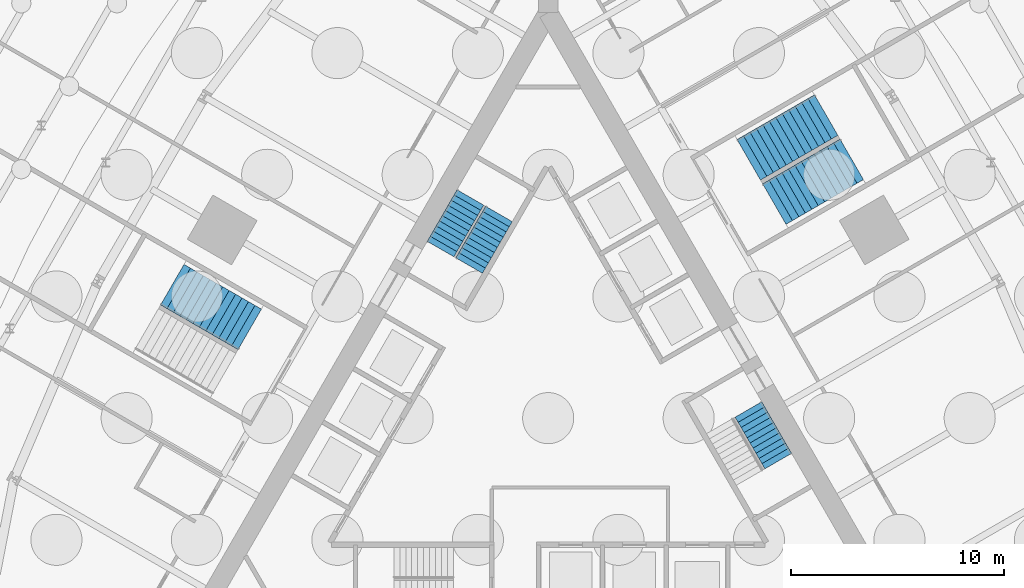
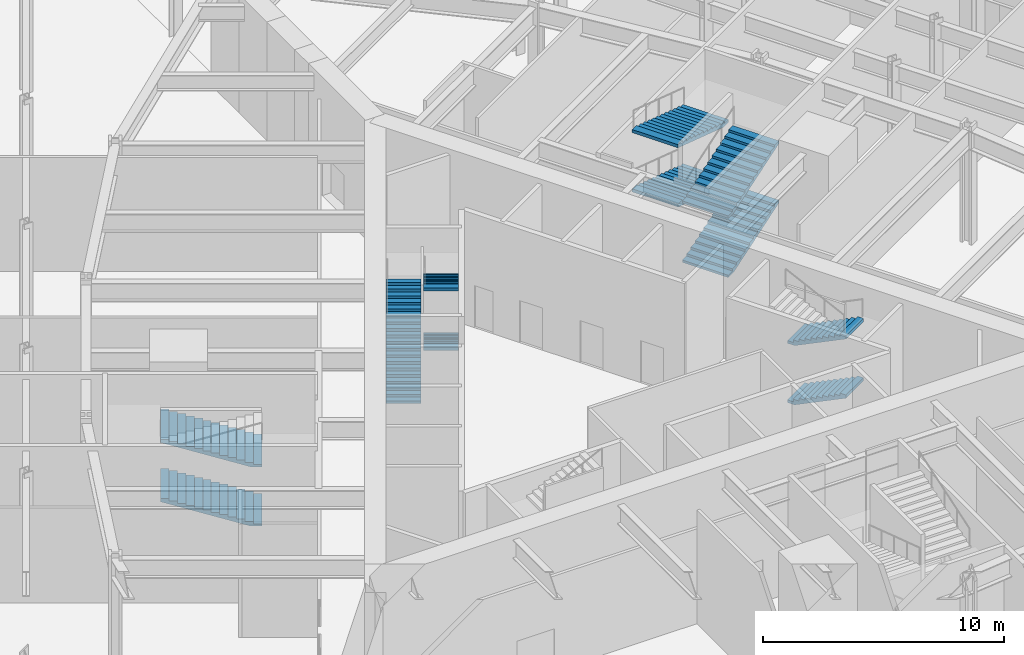
# One storey, part 15 of 17: 12 stair flights, 4 elements without a shape of their own.
"""IFC4 building model written with IfcOpenShell, lengths in metres."""

from ifc_helpers import new_model, si_unit, direction, frame, origin, place, context, subcontext, project, spatial, polyline, outline, extrude, material, type_object, element, aggregate, save


model = new_model("IFC4")

# Units and contexts
model_context = context("Model", 3, precision=1e-05, world=origin(), true_north=direction((0.0, 1.0)))
body_context = subcontext(model_context, "Body", "Model", "MODEL_VIEW")
ifc_project = project(units=[si_unit("LENGTHUNIT", "METRE"), si_unit("AREAUNIT", "SQUARE_METRE"), si_unit("VOLUMEUNIT", "CUBIC_METRE"), si_unit("PLANEANGLEUNIT", "RADIAN"), si_unit("MASSUNIT", "GRAM", prefix="KILO")], contexts=[model_context])

# Site, building, storey
site_placement = place(None, origin())
site = spatial("IfcSite", under=ifc_project, at=site_placement, CompositionType="ELEMENT")
building_placement = place(site_placement, origin())
building = spatial("IfcBuilding", under=site, at=building_placement, Name="Trikona Tower", CompositionType="ELEMENT")
storey_placement = place(building_placement, origin())
storey = spatial("IfcBuildingStorey", under=building, at=storey_placement, Name="L00", CompositionType="ELEMENT", Elevation=0.0)

# Stair, stair flights
ifc_material_1 = material(Name="Concrete f'c 5000 psi", Category="concrete")
stair_type_1 = type_object("IfcStairType", Name="Core stair", PredefinedType="HALF_TURN_STAIR", material=ifc_material_1)
stair_1_placement = place(storey_placement, origin())
stair_1 = element("IfcStair", 1, at=stair_1_placement, inside=storey, type_object=stair_type_1, Name="Stair B L00", PredefinedType="HALF_TURN_STAIR")
ifc_material_2 = material(Name="Concrete f'c 5000 psi", Category="concrete")
stair_flight_type_1 = type_object("IfcStairFlightType", Name="Core stair flight 1450", PredefinedType="STRAIGHT", material=ifc_material_2)
stair_flight_1_placement = place(storey_placement, frame((9.407470703125, 0.408447265625, 0.0), z_axis=(0.0, 0.0, 1.0), x_axis=(0.5, -0.866025403784, 0.0)))
stair_flight_1 = element("IfcStairFlight", 2, at=stair_flight_1_placement, type_object=stair_flight_type_1, Name="ST-B flight 1", NumberOfRisers=11, NumberOfTreads=10, PredefinedType="STRAIGHT", RiserHeight=0.136364, TreadLength=0.28, context=body_context, shape_type="SweptSolid", body=[
    extrude(outline(polyline([(0.0, 0.0), (0.0, 0.136474609375), (0.280029296875, 0.136474609375), (0.280029296875, 0.272705078125), (0.56005859375, 0.272705078125), (0.56005859375, 0.4091796875), (0.840087890625, 0.4091796875), (0.840087890625, 0.54541015625), (1.1201171875, 0.54541015625), (1.1201171875, 0.681884765625), (1.39990234375, 0.681884765625), (1.39990234375, 0.818115234375), (1.679931640625, 0.818115234375), (1.679931640625, 0.95458984375), (1.9599609375, 0.95458984375), (1.9599609375, 1.0908203125), (2.239990234375, 1.0908203125), (2.239990234375, 1.227294921875), (2.52001953125, 1.227294921875), (2.52001953125, 1.363525390625), (2.800048828125, 1.363525390625), (2.800048828125, 1.5), (2.800048828125, 1.197021484375), (0.34228515625, 0.0), (0.0, 0.0)])), frame((0.0, 0.72509765625, 0.0), z_axis=(0.0, -1.0, 0.0), x_axis=(1.0, 0.0, 0.0)), (0.0, 0.0, 1.0), 1.449951171875),
])
stair_flight_2_placement = place(storey_placement, frame((9.407470703125, 0.408447265625, 3.0), z_axis=(0.0, 0.0, 1.0), x_axis=(0.5, -0.866025403784, 0.0)))
stair_flight_2 = element("IfcStairFlight", 3, at=stair_flight_2_placement, type_object=stair_flight_type_1, Name="ST-B flight 3", NumberOfRisers=11, NumberOfTreads=10, PredefinedType="STRAIGHT", RiserHeight=0.136364, TreadLength=0.28, context=body_context, shape_type="SweptSolid", body=[
    extrude(outline(polyline([(0.0, 0.0), (0.0, 0.136474609375), (0.280029296875, 0.136474609375), (0.280029296875, 0.272705078125), (0.56005859375, 0.272705078125), (0.56005859375, 0.4091796875), (0.840087890625, 0.4091796875), (0.840087890625, 0.54541015625), (1.1201171875, 0.54541015625), (1.1201171875, 0.681884765625), (1.39990234375, 0.681884765625), (1.39990234375, 0.818115234375), (1.679931640625, 0.818115234375), (1.679931640625, 0.95458984375), (1.9599609375, 0.95458984375), (1.9599609375, 1.0908203125), (2.239990234375, 1.0908203125), (2.239990234375, 1.227294921875), (2.52001953125, 1.227294921875), (2.52001953125, 1.363525390625), (2.800048828125, 1.363525390625), (2.800048828125, 1.5), (2.800048828125, 1.197021484375), (0.34228515625, 0.0), (0.0, 0.0)])), frame((0.0, 0.72509765625, 0.0), z_axis=(0.0, -1.0, 0.0), x_axis=(1.0, 0.0, 0.0)), (0.0, 0.0, 1.0), 1.449951171875),
])
aggregate(stair_1, [stair_flight_1, stair_flight_2])

stair_2_placement = place(storey_placement, origin())
stair_2 = element("IfcStair", 4, at=stair_2_placement, inside=storey, type_object=stair_type_1, Name="Stair C L00", PredefinedType="HALF_TURN_STAIR")
stair_flight_3_placement = place(storey_placement, frame((-5.057373046875, 7.94287109375, 0.0), z_axis=(0.0, 0.0, 1.0), x_axis=(0.5, 0.866025403784, 0.0)))
stair_flight_3 = element("IfcStairFlight", 5, at=stair_flight_3_placement, type_object=stair_flight_type_1, Name="ST-C flight 1", NumberOfRisers=11, NumberOfTreads=10, PredefinedType="STRAIGHT", RiserHeight=0.136364, TreadLength=0.28, context=body_context, shape_type="SweptSolid", body=[
    extrude(outline(polyline([(0.0, 0.0), (0.0, 0.136474609375), (0.280029296875, 0.136474609375), (0.280029296875, 0.272705078125), (0.56005859375, 0.272705078125), (0.56005859375, 0.4091796875), (0.840087890625, 0.4091796875), (0.840087890625, 0.54541015625), (1.1201171875, 0.54541015625), (1.1201171875, 0.681884765625), (1.39990234375, 0.681884765625), (1.39990234375, 0.818115234375), (1.679931640625, 0.818115234375), (1.679931640625, 0.95458984375), (1.9599609375, 0.95458984375), (1.9599609375, 1.0908203125), (2.239990234375, 1.0908203125), (2.239990234375, 1.227294921875), (2.52001953125, 1.227294921875), (2.52001953125, 1.363525390625), (2.800048828125, 1.363525390625), (2.800048828125, 1.5), (2.800048828125, 1.197021484375), (0.34228515625, 0.0), (0.0, 0.0)])), frame((0.0, 0.72509765625, 0.0), z_axis=(0.0, -1.0, 0.0), x_axis=(1.0, 0.0, 0.0)), (0.0, 0.0, 1.0), 1.449951171875),
])
stair_flight_4_placement = place(storey_placement, frame((-2.315185546875, 9.5927734375, 1.5), z_axis=(0.0, 0.0, 1.0), x_axis=(-0.5, -0.866025403784, 0.0)))
stair_flight_4 = element("IfcStairFlight", 6, at=stair_flight_4_placement, type_object=stair_flight_type_1, Name="ST-C flight 2", NumberOfRisers=11, NumberOfTreads=10, PredefinedType="STRAIGHT", RiserHeight=0.136364, TreadLength=0.28, context=body_context, shape_type="SweptSolid", body=[
    extrude(outline(polyline([(0.0, 0.0), (0.0, 0.136474609375), (0.280029296875, 0.136474609375), (0.280029296875, 0.272705078125), (0.56005859375, 0.272705078125), (0.56005859375, 0.4091796875), (0.840087890625, 0.4091796875), (0.840087890625, 0.54541015625), (1.1201171875, 0.54541015625), (1.1201171875, 0.681884765625), (1.39990234375, 0.681884765625), (1.39990234375, 0.818115234375), (1.679931640625, 0.818115234375), (1.679931640625, 0.95458984375), (1.9599609375, 0.95458984375), (1.9599609375, 1.0908203125), (2.239990234375, 1.0908203125), (2.239990234375, 1.227294921875), (2.52001953125, 1.227294921875), (2.52001953125, 1.363525390625), (2.800048828125, 1.363525390625), (2.800048828125, 1.5), (2.800048828125, 1.197021484375), (0.34228515625, 0.0), (0.0, 0.0)])), frame((0.0, 0.72509765625, 0.0), z_axis=(0.0, -1.0, 0.0), x_axis=(1.0, 0.0, 0.0)), (0.0, 0.0, 1.0), 1.449951171875),
])
stair_flight_5_placement = place(storey_placement, frame((-5.057373046875, 7.94287109375, 3.0), z_axis=(0.0, 0.0, 1.0), x_axis=(0.5, 0.866025403784, 0.0)))
stair_flight_5 = element("IfcStairFlight", 7, at=stair_flight_5_placement, type_object=stair_flight_type_1, Name="ST-C flight 3", NumberOfRisers=11, NumberOfTreads=10, PredefinedType="STRAIGHT", RiserHeight=0.136364, TreadLength=0.28, context=body_context, shape_type="SweptSolid", body=[
    extrude(outline(polyline([(0.0, 0.0), (0.0, 0.136474609375), (0.280029296875, 0.136474609375), (0.280029296875, 0.272705078125), (0.56005859375, 0.272705078125), (0.56005859375, 0.4091796875), (0.840087890625, 0.4091796875), (0.840087890625, 0.54541015625), (1.1201171875, 0.54541015625), (1.1201171875, 0.681884765625), (1.39990234375, 0.681884765625), (1.39990234375, 0.818115234375), (1.679931640625, 0.818115234375), (1.679931640625, 0.95458984375), (1.9599609375, 0.95458984375), (1.9599609375, 1.0908203125), (2.239990234375, 1.0908203125), (2.239990234375, 1.227294921875), (2.52001953125, 1.227294921875), (2.52001953125, 1.363525390625), (2.800048828125, 1.363525390625), (2.800048828125, 1.5), (2.800048828125, 1.197021484375), (0.34228515625, 0.0), (0.0, 0.0)])), frame((0.0, 0.72509765625, 0.0), z_axis=(0.0, -1.0, 0.0), x_axis=(1.0, 0.0, 0.0)), (0.0, 0.0, 1.0), 1.449951171875),
])
stair_flight_6_placement = place(storey_placement, frame((-2.315185546875, 9.5927734375, 4.5), z_axis=(0.0, 0.0, 1.0), x_axis=(-0.5, -0.866025403784, 0.0)))
stair_flight_6 = element("IfcStairFlight", 8, at=stair_flight_6_placement, type_object=stair_flight_type_1, Name="ST-C flight 4", NumberOfRisers=11, NumberOfTreads=10, PredefinedType="STRAIGHT", RiserHeight=0.136364, TreadLength=0.28, context=body_context, shape_type="SweptSolid", body=[
    extrude(outline(polyline([(0.0, 0.0), (0.0, 0.136474609375), (0.280029296875, 0.136474609375), (0.280029296875, 0.272705078125), (0.56005859375, 0.272705078125), (0.56005859375, 0.4091796875), (0.840087890625, 0.4091796875), (0.840087890625, 0.54541015625), (1.1201171875, 0.54541015625), (1.1201171875, 0.681884765625), (1.39990234375, 0.681884765625), (1.39990234375, 0.818115234375), (1.679931640625, 0.818115234375), (1.679931640625, 0.95458984375), (1.9599609375, 0.95458984375), (1.9599609375, 1.0908203125), (2.239990234375, 1.0908203125), (2.239990234375, 1.227294921875), (2.52001953125, 1.227294921875), (2.52001953125, 1.363525390625), (2.800048828125, 1.363525390625), (2.800048828125, 1.5), (2.800048828125, 1.197021484375), (0.34228515625, 0.0), (0.0, 0.0)])), frame((0.0, 0.72509765625, 0.0), z_axis=(0.0, -1.0, 0.0), x_axis=(1.0, 0.0, 0.0)), (0.0, 0.0, 1.0), 1.449951171875),
])
aggregate(stair_2, [stair_flight_3, stair_flight_4, stair_flight_5, stair_flight_6])

ifc_material_3 = material(Name="Concrete f'c 5000 psi", Category="concrete")
stair_type_2 = type_object("IfcStairType", Name="Podium stair", PredefinedType="HALF_TURN_STAIR", material=ifc_material_3)
stair_3_placement = place(storey_placement, origin())
stair_3 = element("IfcStair", 9, at=stair_3_placement, inside=storey, type_object=stair_type_2, Name="Podium stair PS2 L00", PredefinedType="HALF_TURN_STAIR")
ifc_material_4 = material(Name="Concrete f'c 5000 psi", Category="concrete")
stair_flight_type_2 = type_object("IfcStairFlightType", Name="Podium stair flight 2200", PredefinedType="STRAIGHT", material=ifc_material_4)
stair_flight_7_placement = place(storey_placement, frame((10.620361328125, 10.0576171875, 0.0), z_axis=(0.0, 0.0, 1.0), x_axis=(0.866025403784, 0.5, 0.0)))
stair_flight_7 = element("IfcStairFlight", 10, at=stair_flight_7_placement, type_object=stair_flight_type_2, Name="PS2 flight 1", NumberOfRisers=13, NumberOfTreads=12, PredefinedType="STRAIGHT", RiserHeight=0.115385, TreadLength=0.35, context=body_context, shape_type="SweptSolid", body=[
    extrude(outline(polyline([(0.0, 0.0), (0.0, 0.115478515625), (0.35009765625, 0.115478515625), (0.35009765625, 0.230712890625), (0.699951171875, 0.230712890625), (0.699951171875, 0.34619140625), (1.050048828125, 0.34619140625), (1.050048828125, 0.46142578125), (1.39990234375, 0.46142578125), (1.39990234375, 0.576904296875), (1.75, 0.576904296875), (1.75, 0.6923828125), (2.10009765625, 0.6923828125), (2.10009765625, 0.8076171875), (2.449951171875, 0.8076171875), (2.449951171875, 0.923095703125), (2.800048828125, 0.923095703125), (2.800048828125, 1.03857421875), (3.14990234375, 1.03857421875), (3.14990234375, 1.15380859375), (3.5, 1.15380859375), (3.5, 1.269287109375), (3.85009765625, 1.269287109375), (3.85009765625, 1.384521484375), (4.199951171875, 1.384521484375), (4.199951171875, 1.5), (4.199951171875, 1.226806640625), (0.478759765625, 0.0), (0.0, 0.0)])), frame((0.0, 1.10009765625, 0.0), z_axis=(0.0, -1.0, 0.0), x_axis=(1.0, 0.0, 0.0)), (0.0, 0.0, 1.0), 2.199951171875),
])
stair_flight_8_placement = place(storey_placement, frame((13.0576171875, 14.236083984375, 1.5), z_axis=(0.0, 0.0, 1.0), x_axis=(-0.866025403784, -0.5, 0.0)))
stair_flight_8 = element("IfcStairFlight", 11, at=stair_flight_8_placement, type_object=stair_flight_type_2, Name="PS2 flight 2", NumberOfRisers=13, NumberOfTreads=12, PredefinedType="STRAIGHT", RiserHeight=0.115385, TreadLength=0.35, context=body_context, shape_type="SweptSolid", body=[
    extrude(outline(polyline([(0.0, 0.0), (0.0, 0.115478515625), (0.35009765625, 0.115478515625), (0.35009765625, 0.230712890625), (0.699951171875, 0.230712890625), (0.699951171875, 0.34619140625), (1.050048828125, 0.34619140625), (1.050048828125, 0.46142578125), (1.39990234375, 0.46142578125), (1.39990234375, 0.576904296875), (1.75, 0.576904296875), (1.75, 0.6923828125), (2.10009765625, 0.6923828125), (2.10009765625, 0.8076171875), (2.449951171875, 0.8076171875), (2.449951171875, 0.923095703125), (2.800048828125, 0.923095703125), (2.800048828125, 1.03857421875), (3.14990234375, 1.03857421875), (3.14990234375, 1.15380859375), (3.5, 1.15380859375), (3.5, 1.269287109375), (3.85009765625, 1.269287109375), (3.85009765625, 1.384521484375), (4.199951171875, 1.384521484375), (4.199951171875, 1.5), (4.199951171875, 1.226806640625), (0.478759765625, 0.0), (0.0, 0.0)])), frame((0.0, 1.10009765625, 0.0), z_axis=(0.0, -1.0, 0.0), x_axis=(1.0, 0.0, 0.0)), (0.0, 0.0, 1.0), 2.199951171875),
])
stair_flight_9_placement = place(storey_placement, frame((10.620361328125, 10.0576171875, 3.0), z_axis=(0.0, 0.0, 1.0), x_axis=(0.866025403784, 0.5, 0.0)))
stair_flight_9 = element("IfcStairFlight", 12, at=stair_flight_9_placement, type_object=stair_flight_type_2, Name="PS2 flight 3", NumberOfRisers=13, NumberOfTreads=12, PredefinedType="STRAIGHT", RiserHeight=0.115385, TreadLength=0.35, context=body_context, shape_type="SweptSolid", body=[
    extrude(outline(polyline([(0.0, 0.0), (0.0, 0.115478515625), (0.35009765625, 0.115478515625), (0.35009765625, 0.230712890625), (0.699951171875, 0.230712890625), (0.699951171875, 0.34619140625), (1.050048828125, 0.34619140625), (1.050048828125, 0.46142578125), (1.39990234375, 0.46142578125), (1.39990234375, 0.576904296875), (1.75, 0.576904296875), (1.75, 0.6923828125), (2.10009765625, 0.6923828125), (2.10009765625, 0.8076171875), (2.449951171875, 0.8076171875), (2.449951171875, 0.923095703125), (2.800048828125, 0.923095703125), (2.800048828125, 1.03857421875), (3.14990234375, 1.03857421875), (3.14990234375, 1.15380859375), (3.5, 1.15380859375), (3.5, 1.269287109375), (3.85009765625, 1.269287109375), (3.85009765625, 1.384521484375), (4.199951171875, 1.384521484375), (4.199951171875, 1.5), (4.199951171875, 1.226806640625), (0.478759765625, 0.0), (0.0, 0.0)])), frame((0.0, 1.10009765625, 0.0), z_axis=(0.0, -1.0, 0.0), x_axis=(1.0, 0.0, 0.0)), (0.0, 0.0, 1.0), 2.199951171875),
])
stair_flight_10_placement = place(storey_placement, frame((13.0576171875, 14.236083984375, 4.5), z_axis=(0.0, 0.0, 1.0), x_axis=(-0.866025403784, -0.5, 0.0)))
stair_flight_10 = element("IfcStairFlight", 13, at=stair_flight_10_placement, type_object=stair_flight_type_2, Name="PS2 flight 4", NumberOfRisers=13, NumberOfTreads=12, PredefinedType="STRAIGHT", RiserHeight=0.115385, TreadLength=0.35, context=body_context, shape_type="SweptSolid", body=[
    extrude(outline(polyline([(0.0, 0.0), (0.0, 0.115478515625), (0.35009765625, 0.115478515625), (0.35009765625, 0.230712890625), (0.699951171875, 0.230712890625), (0.699951171875, 0.34619140625), (1.050048828125, 0.34619140625), (1.050048828125, 0.46142578125), (1.39990234375, 0.46142578125), (1.39990234375, 0.576904296875), (1.75, 0.576904296875), (1.75, 0.6923828125), (2.10009765625, 0.6923828125), (2.10009765625, 0.8076171875), (2.449951171875, 0.8076171875), (2.449951171875, 0.923095703125), (2.800048828125, 0.923095703125), (2.800048828125, 1.03857421875), (3.14990234375, 1.03857421875), (3.14990234375, 1.15380859375), (3.5, 1.15380859375), (3.5, 1.269287109375), (3.85009765625, 1.269287109375), (3.85009765625, 1.384521484375), (4.199951171875, 1.384521484375), (4.199951171875, 1.5), (4.199951171875, 1.226806640625), (0.478759765625, 0.0), (0.0, 0.0)])), frame((0.0, 1.10009765625, 0.0), z_axis=(0.0, -1.0, 0.0), x_axis=(1.0, 0.0, 0.0)), (0.0, 0.0, 1.0), 2.199951171875),
])
aggregate(stair_3, [stair_flight_7, stair_flight_8, stair_flight_9, stair_flight_10])

stair_4_placement = place(storey_placement, origin())
stair_4 = element("IfcStair", 14, at=stair_4_placement, inside=storey, type_object=stair_type_2, Name="Podium stair PS3 L00", PredefinedType="HALF_TURN_STAIR")
stair_flight_11_placement = place(storey_placement, frame((-14.020263671875, 4.168701171875, 0.0), z_axis=(0.0, 0.0, 1.0), x_axis=(-0.866025403784, 0.5, 0.0)))
stair_flight_11 = element("IfcStairFlight", 15, at=stair_flight_11_placement, type_object=stair_flight_type_2, Name="PS3 flight 1", NumberOfRisers=13, NumberOfTreads=12, PredefinedType="STRAIGHT", RiserHeight=0.115385, TreadLength=0.35, context=body_context, shape_type="SweptSolid", body=[
    extrude(outline(polyline([(0.0, 0.0), (0.0, 0.115478515625), (0.35009765625, 0.115478515625), (0.35009765625, 0.230712890625), (0.699951171875, 0.230712890625), (0.699951171875, 0.34619140625), (1.050048828125, 0.34619140625), (1.050048828125, 0.46142578125), (1.39990234375, 0.46142578125), (1.39990234375, 0.576904296875), (1.75, 0.576904296875), (1.75, 0.6923828125), (2.10009765625, 0.6923828125), (2.10009765625, 0.8076171875), (2.449951171875, 0.8076171875), (2.449951171875, 0.923095703125), (2.800048828125, 0.923095703125), (2.800048828125, 1.03857421875), (3.14990234375, 1.03857421875), (3.14990234375, 1.15380859375), (3.5, 1.15380859375), (3.5, 1.269287109375), (3.85009765625, 1.269287109375), (3.85009765625, 1.384521484375), (4.199951171875, 1.384521484375), (4.199951171875, 1.5), (4.199951171875, 1.226806640625), (0.478759765625, 0.0), (0.0, 0.0)])), frame((0.0, 1.10009765625, 0.0), z_axis=(0.0, -1.0, 0.0), x_axis=(1.0, 0.0, 0.0)), (0.0, 0.0, 1.0), 2.199951171875),
])
stair_flight_12_placement = place(storey_placement, frame((-14.020263671875, 4.168701171875, 3.0), z_axis=(0.0, 0.0, 1.0), x_axis=(-0.866025403784, 0.5, 0.0)))
stair_flight_12 = element("IfcStairFlight", 16, at=stair_flight_12_placement, type_object=stair_flight_type_2, Name="PS3 flight 3", NumberOfRisers=13, NumberOfTreads=12, PredefinedType="STRAIGHT", RiserHeight=0.115385, TreadLength=0.35, context=body_context, shape_type="SweptSolid", body=[
    extrude(outline(polyline([(0.0, 0.0), (0.0, 0.115478515625), (0.35009765625, 0.115478515625), (0.35009765625, 0.230712890625), (0.699951171875, 0.230712890625), (0.699951171875, 0.34619140625), (1.050048828125, 0.34619140625), (1.050048828125, 0.46142578125), (1.39990234375, 0.46142578125), (1.39990234375, 0.576904296875), (1.75, 0.576904296875), (1.75, 0.6923828125), (2.10009765625, 0.6923828125), (2.10009765625, 0.8076171875), (2.449951171875, 0.8076171875), (2.449951171875, 0.923095703125), (2.800048828125, 0.923095703125), (2.800048828125, 1.03857421875), (3.14990234375, 1.03857421875), (3.14990234375, 1.15380859375), (3.5, 1.15380859375), (3.5, 1.269287109375), (3.85009765625, 1.269287109375), (3.85009765625, 1.384521484375), (4.199951171875, 1.384521484375), (4.199951171875, 1.5), (4.199951171875, 1.226806640625), (0.478759765625, 0.0), (0.0, 0.0)])), frame((0.0, 1.10009765625, 0.0), z_axis=(0.0, -1.0, 0.0), x_axis=(1.0, 0.0, 0.0)), (0.0, 0.0, 1.0), 2.199951171875),
])
aggregate(stair_4, [stair_flight_11, stair_flight_12])

save(model, "model.ifc")
